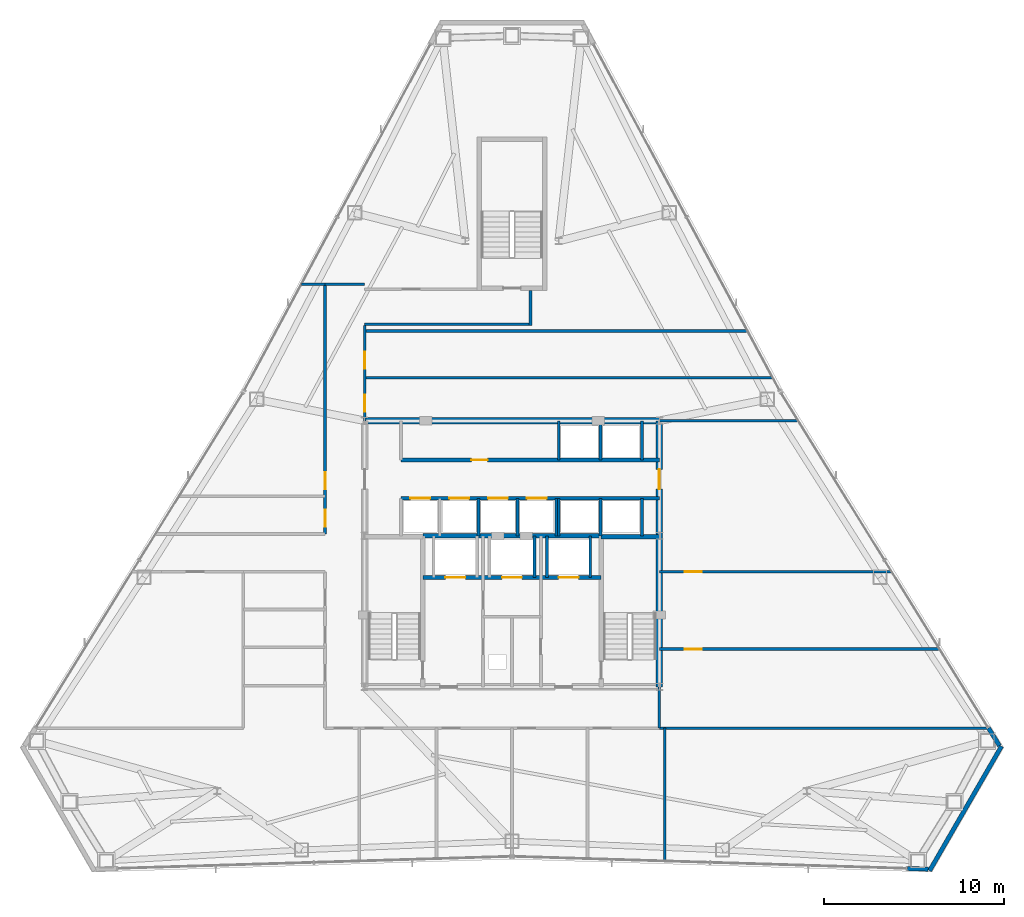
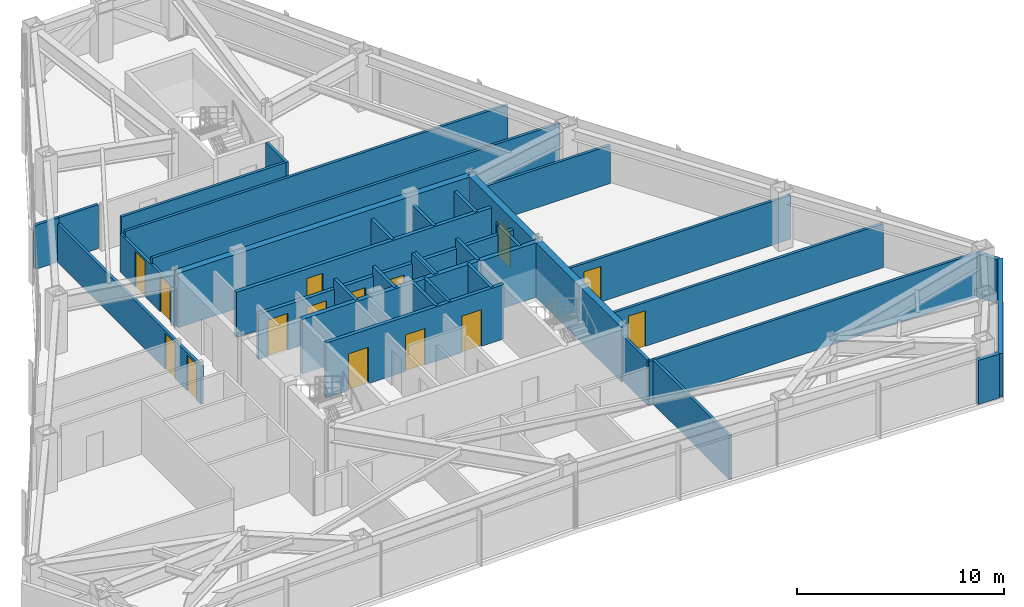
# One storey, part 11 of 13: 36 walls, 15 doors, 15 openings.
"""IFC4 building model written with IfcOpenShell, lengths in metres."""

from ifc_helpers import new_model, si_unit, direction, frame, frame_2d, origin, place, context, subcontext, project, spatial, rectangle, extrude, material, layer, layer_set, type_object, element, fill, save


model = new_model("IFC4")

# Units and contexts
model_context = context("Model", 3, precision=1e-05, world=origin(), true_north=direction((0.0, 1.0)))
body_context = subcontext(model_context, "Body", "Model", "MODEL_VIEW")
ifc_project = project(units=[si_unit("LENGTHUNIT", "METRE"), si_unit("AREAUNIT", "SQUARE_METRE"), si_unit("VOLUMEUNIT", "CUBIC_METRE"), si_unit("PLANEANGLEUNIT", "RADIAN"), si_unit("MASSUNIT", "GRAM", prefix="KILO")], contexts=[model_context])

# Site, building, storey
site_placement = place(None, origin())
site = spatial("IfcSite", under=ifc_project, at=site_placement, CompositionType="ELEMENT")
building_placement = place(site_placement, origin())
building = spatial("IfcBuilding", under=site, at=building_placement, Name="Varakhsha Concourse Tower", CompositionType="ELEMENT")
storey_placement = place(building_placement, frame((0.0, 0.0, 162.0)))
storey = spatial("IfcBuildingStorey", under=building, at=storey_placement, Name="L46", CompositionType="ELEMENT", Elevation=162.0)

# Wall
ifc_material_1 = material(Name="Concrete fc 65 MPa", Category="concrete")
ifc_layer_1 = layer(ifc_material_1, 0.35009765625, Name="WL-CORE-350")
ifc_layer_set_1 = layer_set([ifc_layer_1], Name="Concrete fc 65 MPa")
wall_type_1 = type_object("IfcWallType", Name="WL-CORE-350", PredefinedType="SHEAR", material=ifc_layer_set_1)
wall_1_placement = place(storey_placement, frame((31.800048828125, 31.199951171875, 0.0), z_axis=(0.0, 0.0, 1.0), x_axis=(1.0, 0.0, 0.0)))
element("IfcWall", 1, at=wall_1_placement, inside=storey, type_object=wall_type_1, Name="L46 Wall CWALL-N-L46", PredefinedType="SHEAR", context=body_context, shape_type="SweptSolid", body=[
    extrude(rectangle(XDim=16.39990234375, YDim=0.35009765625, at=frame_2d((8.199951171875, 0.0))), origin(), (0.0, 0.0, 1.0), 3.2099609375),
])

# Wall, opening, door
wall_2_placement = place(storey_placement, frame((48.199951171875, 16.39990234375, 0.0), z_axis=(0.0, 0.0, 1.0), x_axis=(0.0, 1.0, 0.0)))
wall_2 = element("IfcWall", 2, at=wall_2_placement, inside=storey, type_object=wall_type_1, Name="L46 Wall CWALL-E-L46", PredefinedType="SHEAR", context=body_context, shape_type="SweptSolid", body=[
    extrude(rectangle(XDim=14.800048828125, YDim=0.35009765625, at=frame_2d((7.39990234375, 0.0))), origin(), (0.0, 0.0, 1.0), 3.2099609375),
])
opening_1_placement = place(wall_2_placement, frame((11.0, 0.0, 0.0)))
opening_1 = element("IfcOpeningElement", 3, at=opening_1_placement, cuts=wall_2, Name="Opening DL-01", PredefinedType="OPENING", context=body_context, shape_type="SweptSolid", body=[
    extrude(rectangle(XDim=1.10009765625, YDim=2.14990234375, at=frame_2d((0.550048828125, 1.074951171875))), frame((0.0, 0.18505859375, 0.0), z_axis=(0.0, -1.0, 0.0), x_axis=(1.0, 0.0, 0.0)), (0.0, 0.0, 1.0), 0.3701171875),
])
ifc_material_2 = material(Name="Anodised Bronze Architectural Aluminium AA 6063-T6", Category="aluminium")
door_type_1 = type_object("IfcDoorType", Name="DR-LOB-1100", OperationType="NOTDEFINED", PredefinedType="DOOR", material=ifc_material_2)
door_1_placement = place(opening_1_placement, origin())
door_1 = element("IfcDoor", 4, at=door_1_placement, inside=storey, type_object=door_type_1, Name="L46 Lift Lobby East Concourse Door", OperationType="SINGLE_SWING_RIGHT", OverallHeight=2.14990234375, OverallWidth=1.10009765625, PredefinedType="DOOR", context=body_context, shape_type="SweptSolid", body=[
    extrude(rectangle(XDim=1.10009765625, YDim=2.14990234375, at=frame_2d((0.550048828125, 1.074951171875))), frame((0.0, 0.02490234375, 0.0), z_axis=(0.0, -1.0, 0.0), x_axis=(1.0, 0.0, 0.0)), (0.0, 0.0, 1.0), 0.050048828125),
])
fill(opening_1, door_1)

# Walls
ifc_material_3 = material(Name="Concrete fc 45 MPa", Category="concrete")
ifc_layer_2 = layer(ifc_material_3, 0.239990234375, Name="WL-EXT-CRN-240")
ifc_layer_set_2 = layer_set([ifc_layer_2], Name="Concrete fc 45 MPa")
wall_type_2 = type_object("IfcWallType", Name="WL-EXT-CRN-240", PredefinedType="SHEAR", material=ifc_layer_set_2)
wall_3_placement = place(storey_placement, frame((61.9912109375, 6.288818359375, 0.0), z_axis=(0.0, 0.0, 1.0), x_axis=(0.999533860209, -0.030529695312, 0.0)))
element("IfcWall", 5, at=wall_3_placement, inside=storey, type_object=wall_type_2, Name="L46 Wind-Corner Shoulder Wall F6", PredefinedType="SHEAR", context=body_context, shape_type="SweptSolid", body=[
    extrude(rectangle(XDim=1.16748046875, YDim=0.239990234375, at=frame_2d((0.583740234375, 0.0))), origin(), (0.0, 0.0, 1.0), 2.5830078125),
])
wall_4_placement = place(storey_placement, frame((67.234619140625, 13.094970703125, 0.0), z_axis=(0.0, 0.0, 1.0), x_axis=(-0.499985734379, -0.866033639888, 0.0)))
element("IfcWall", 6, at=wall_4_placement, inside=storey, type_object=wall_type_2, Name="L46 Chamfer Wind-Corner Insulated Wall F7", PredefinedType="SHEAR", context=body_context, shape_type="SweptSolid", body=[
    extrude(rectangle(XDim=8.000244140625, YDim=0.239990234375, at=frame_2d((4.0, 0.0))), origin(), (0.0, 0.0, 1.0), 2.5830078125),
])
wall_5_placement = place(storey_placement, frame((67.121337890625, 13.117919921875, 0.0), z_axis=(0.0, 0.0, 1.0), x_axis=(-0.526196207656, 0.850363187731, 0.0)))
element("IfcWall", 7, at=wall_5_placement, inside=storey, type_object=wall_type_2, Name="L46 Wind-Corner Shoulder Wall F8", PredefinedType="SHEAR", context=body_context, shape_type="SweptSolid", body=[
    extrude(rectangle(XDim=1.167236328125, YDim=0.239990234375, at=frame_2d((0.58349609375, 0.0))), origin(), (0.0, 0.0, 1.0), 2.5830078125),
])
ifc_material_4 = material(Name="Fire-Rated Type X Gypsum Partition Assembly", Category="gypsum")
ifc_layer_3 = layer(ifc_material_4, 0.14990234375, Name="WL-PART-150")
ifc_layer_set_3 = layer_set([ifc_layer_3], Name="Fire-Rated Type X Gypsum Partition Assembly")
wall_type_3 = type_object("IfcWallType", Name="WL-PART-150", PredefinedType="PARTITIONING", material=ifc_layer_set_3)
wall_6_placement = place(storey_placement, frame((48.199951171875, 14.10009765625, 0.0), z_axis=(0.0, 0.0, 1.0), x_axis=(0.0, 1.0, 0.0)))
element("IfcWall", 8, at=wall_6_placement, inside=storey, type_object=wall_type_3, Name="L46 Wall CRW-SE-L46", PredefinedType="PARTITIONING", context=body_context, shape_type="SweptSolid", body=[
    extrude(rectangle(XDim=2.2998046875, YDim=0.14990234375, at=frame_2d((1.14990234375, 0.0))), origin(), (0.0, 0.0, 1.0), 2.6650390625),
])

# Wall, openings, doors
wall_7_placement = place(storey_placement, frame((29.60009765625, 24.89990234375, 0.0), z_axis=(0.0, 0.0, 1.0), x_axis=(0.0, 1.0, 0.0)))
wall_7 = element("IfcWall", 9, at=wall_7_placement, inside=storey, type_object=wall_type_3, Name="L46 Wall CRW-WN-L46", PredefinedType="PARTITIONING", context=body_context, shape_type="SweptSolid", body=[
    extrude(rectangle(XDim=13.900146484375, YDim=0.14990234375, at=frame_2d((6.9501953125, 0.0))), origin(), (0.0, 0.0, 1.0), 2.251953125),
])
opening_2_placement = place(wall_7_placement, frame((0.39990234375, 0.0, 0.0)))
opening_2 = element("IfcOpeningElement", 10, at=opening_2_placement, cuts=wall_7, Name="Opening DF-05", PredefinedType="OPENING", context=body_context, shape_type="SweptSolid", body=[
    extrude(rectangle(XDim=0.949951171875, YDim=2.10009765625, at=frame_2d((0.47509765625, 1.050048828125))), frame((0.0, 0.0849609375, 0.0), z_axis=(0.0, -1.0, 0.0), x_axis=(1.0, 0.0, 0.0)), (0.0, 0.0, 1.0), 0.169921875),
])
opening_3_placement = place(wall_7_placement, frame((2.5, 0.0, 0.0)))
opening_3 = element("IfcOpeningElement", 11, at=opening_3_placement, cuts=wall_7, Name="Opening DF-05", PredefinedType="OPENING", context=body_context, shape_type="SweptSolid", body=[
    extrude(rectangle(XDim=0.949951171875, YDim=2.10009765625, at=frame_2d((0.47509765625, 1.050048828125))), frame((0.0, 0.0849609375, 0.0), z_axis=(0.0, -1.0, 0.0), x_axis=(1.0, 0.0, 0.0)), (0.0, 0.0, 1.0), 0.169921875),
])
ifc_material_5 = material(Name="Hollow Galvanised Steel Fire Door Assembly", Category="steel")
door_type_2 = type_object("IfcDoorType", Name="DR-FD60-950", OperationType="NOTDEFINED", PredefinedType="DOOR", material=ifc_material_5)
door_2_placement = place(opening_2_placement, origin())
door_2 = element("IfcDoor", 12, at=door_2_placement, inside=storey, type_object=door_type_2, Name="L46 Community Cafe Kitchen L46-NW Door", OperationType="SINGLE_SWING_RIGHT", OverallHeight=2.10009765625, OverallWidth=0.949951171875, PredefinedType="DOOR", context=body_context, shape_type="SweptSolid", body=[
    extrude(rectangle(XDim=0.949951171875, YDim=2.10009765625, at=frame_2d((0.47509765625, 1.050048828125))), frame((0.0, 0.02490234375, 0.0), z_axis=(0.0, -1.0, 0.0), x_axis=(1.0, 0.0, 0.0)), (0.0, 0.0, 1.0), 0.050048828125),
])
fill(opening_2, door_2)
door_3_placement = place(opening_3_placement, origin())
door_3 = element("IfcDoor", 13, at=door_3_placement, inside=storey, type_object=door_type_2, Name="L46 Hot-Desk Studio Neighborhood L46-W2 Door", OperationType="SINGLE_SWING_LEFT", OverallHeight=2.10009765625, OverallWidth=0.949951171875, PredefinedType="DOOR", context=body_context, shape_type="SweptSolid", body=[
    extrude(rectangle(XDim=0.949951171875, YDim=2.10009765625, at=frame_2d((0.47509765625, 1.050048828125))), frame((0.0, 0.02490234375, 0.0), z_axis=(0.0, -1.0, 0.0), x_axis=(1.0, 0.0, 0.0)), (0.0, 0.0, 1.0), 0.050048828125),
])
fill(opening_3, door_3)

wall_8_placement = place(storey_placement, frame((31.800048828125, 31.199951171875, 0.0), z_axis=(0.0, 0.0, 1.0), x_axis=(0.0, 1.0, 0.0)))
wall_8 = element("IfcWall", 14, at=wall_8_placement, inside=storey, type_object=wall_type_3, Name="L46 Wall CRW-NE-L46", PredefinedType="PARTITIONING", context=body_context, shape_type="SweptSolid", body=[
    extrude(rectangle(XDim=5.300048828125, YDim=0.14990234375, at=frame_2d((2.64990234375, 0.0))), origin(), (0.0, 0.0, 1.0), 2.251953125),
])
opening_4_placement = place(wall_8_placement, frame((0.5, 0.0, 0.0)))
opening_4 = element("IfcOpeningElement", 15, at=opening_4_placement, cuts=wall_8, Name="Opening DF-05", PredefinedType="OPENING", context=body_context, shape_type="SweptSolid", body=[
    extrude(rectangle(XDim=0.949951171875, YDim=2.10009765625, at=frame_2d((0.47509765625, 1.050048828125))), frame((0.0, 0.0849609375, 0.0), z_axis=(0.0, -1.0, 0.0), x_axis=(1.0, 0.0, 0.0)), (0.0, 0.0, 1.0), 0.169921875),
])
opening_5_placement = place(wall_8_placement, frame((2.89990234375, 0.0, 0.0)))
opening_5 = element("IfcOpeningElement", 16, at=opening_5_placement, cuts=wall_8, Name="Opening DF-05", PredefinedType="OPENING", context=body_context, shape_type="SweptSolid", body=[
    extrude(rectangle(XDim=0.949951171875, YDim=2.10009765625, at=frame_2d((0.47509765625, 1.050048828125))), frame((0.0, 0.0849609375, 0.0), z_axis=(0.0, -1.0, 0.0), x_axis=(1.0, 0.0, 0.0)), (0.0, 0.0, 1.0), 0.169921875),
])
door_4_placement = place(opening_4_placement, origin())
door_4 = element("IfcDoor", 17, at=door_4_placement, inside=storey, type_object=door_type_2, Name="L46 Mountain View Project Pitch Room L46-NE1 Door", OperationType="SINGLE_SWING_RIGHT", OverallHeight=2.10009765625, OverallWidth=0.949951171875, PredefinedType="DOOR", context=body_context, shape_type="SweptSolid", body=[
    extrude(rectangle(XDim=0.949951171875, YDim=2.10009765625, at=frame_2d((0.47509765625, 1.050048828125))), frame((0.0, 0.02490234375, 0.0), z_axis=(0.0, -1.0, 0.0), x_axis=(1.0, 0.0, 0.0)), (0.0, 0.0, 1.0), 0.050048828125),
])
fill(opening_4, door_4)
door_5_placement = place(opening_5_placement, origin())
door_5 = element("IfcDoor", 18, at=door_5_placement, inside=storey, type_object=door_type_2, Name="L46 Apex Hot-Desk Studio Neighborhood L46-NE2 Door", OperationType="SINGLE_SWING_RIGHT", OverallHeight=2.10009765625, OverallWidth=0.949951171875, PredefinedType="DOOR", context=body_context, shape_type="SweptSolid", body=[
    extrude(rectangle(XDim=0.949951171875, YDim=2.10009765625, at=frame_2d((0.47509765625, 1.050048828125))), frame((0.0, 0.02490234375, 0.0), z_axis=(0.0, -1.0, 0.0), x_axis=(1.0, 0.0, 0.0)), (0.0, 0.0, 1.0), 0.050048828125),
])
fill(opening_5, door_5)

# Walls
wall_9_placement = place(storey_placement, frame((29.60009765625, 38.800048828125, 0.0), z_axis=(0.0, 0.0, 1.0), x_axis=(1.0, 0.0, 0.0)))
element("IfcWall", 19, at=wall_9_placement, inside=storey, type_object=wall_type_3, Name="L46 Wall CRW-NCAP-L46", PredefinedType="PARTITIONING", context=body_context, shape_type="SweptSolid", body=[
    extrude(rectangle(XDim=2.199951171875, YDim=0.14990234375, at=frame_2d((1.10009765625, 0.0))), origin(), (0.0, 0.0, 1.0), 2.589111328125),
])
wall_10_placement = place(storey_placement, frame((48.5, 6.705810546875, 0.0), z_axis=(0.0, 0.0, 1.0), x_axis=(0.0, 1.0, 0.0)))
element("IfcWall", 20, at=wall_10_placement, inside=storey, type_object=wall_type_3, Name="L46 Wall ODIV-S5-L46", PredefinedType="PARTITIONING", context=body_context, shape_type="SweptSolid", body=[
    extrude(rectangle(XDim=7.394287109375, YDim=0.14990234375, at=frame_2d((3.697265625, 0.0))), origin(), (0.0, 0.0, 1.0), 2.589111328125),
])
wall_11_placement = place(storey_placement, frame((28.289306640625, 38.800048828125, 0.0), z_axis=(0.0, 0.0, 1.0), x_axis=(1.0, 0.0, 0.0)))
element("IfcWall", 21, at=wall_11_placement, inside=storey, type_object=wall_type_3, Name="L46 Wall ODIV-NWT-L46", PredefinedType="PARTITIONING", context=body_context, shape_type="SweptSolid", body=[
    extrude(rectangle(XDim=1.310791015625, YDim=0.14990234375, at=frame_2d((0.6552734375, 0.0))), origin(), (0.0, 0.0, 1.0), 2.589111328125),
])
wall_12_placement = place(storey_placement, frame((48.199951171875, 31.199951171875, 0.0), z_axis=(0.0, 0.0, 1.0), x_axis=(1.0, 0.0, 0.0)))
element("IfcWall", 22, at=wall_12_placement, inside=storey, type_object=wall_type_3, Name="L46 Wall ODIV-NEB-L46", PredefinedType="PARTITIONING", context=body_context, shape_type="SweptSolid", body=[
    extrude(rectangle(XDim=7.7265625, YDim=0.14990234375, at=frame_2d((3.86328125, 0.0))), origin(), (0.0, 0.0, 1.0), 2.251953125),
])
wall_13_placement = place(storey_placement, frame((31.800048828125, 33.60009765625, 0.0), z_axis=(0.0, 0.0, 1.0), x_axis=(1.0, 0.0, 0.0)))
element("IfcWall", 23, at=wall_13_placement, inside=storey, type_object=wall_type_3, Name="L46 Wall ODIV-NE1-L46", PredefinedType="PARTITIONING", context=body_context, shape_type="SweptSolid", body=[
    extrude(rectangle(XDim=22.704833984375, YDim=0.14990234375, at=frame_2d((11.3525390625, 0.0))), origin(), (0.0, 0.0, 1.0), 2.589111328125),
])
wall_14_placement = place(storey_placement, frame((31.800048828125, 36.199951171875, 0.0), z_axis=(0.0, 0.0, 1.0), x_axis=(1.0, 0.0, 0.0)))
element("IfcWall", 24, at=wall_14_placement, inside=storey, type_object=wall_type_3, Name="L46 Wall ODIV-NE2-L46", PredefinedType="PARTITIONING", context=body_context, shape_type="SweptSolid", body=[
    extrude(rectangle(XDim=21.307861328125, YDim=0.14990234375, at=frame_2d((10.65380859375, 0.0))), origin(), (0.0, 0.0, 1.0), 2.589111328125),
])
wall_15_placement = place(storey_placement, frame((48.199951171875, 14.10009765625, 0.0), z_axis=(0.0, 0.0, 1.0), x_axis=(1.0, 0.0, 0.0)))
element("IfcWall", 25, at=wall_15_placement, inside=storey, type_object=wall_type_3, Name="L46 Wall ODIV-EB0-L46", PredefinedType="PARTITIONING", context=body_context, shape_type="SweptSolid", body=[
    extrude(rectangle(XDim=18.307861328125, YDim=0.14990234375, at=frame_2d((9.15380859375, 0.0))), origin(), (0.0, 0.0, 1.0), 2.589111328125),
])

# Wall, opening, door
wall_16_placement = place(storey_placement, frame((48.199951171875, 18.5, 0.0), z_axis=(0.0, 0.0, 1.0), x_axis=(1.0, 0.0, 0.0)))
wall_16 = element("IfcWall", 26, at=wall_16_placement, inside=storey, type_object=wall_type_3, Name="L46 Wall ODIV-E1-L46", PredefinedType="PARTITIONING", context=body_context, shape_type="SweptSolid", body=[
    extrude(rectangle(XDim=15.5849609375, YDim=0.14990234375, at=frame_2d((7.79248046875, 0.0))), origin(), (0.0, 0.0, 1.0), 2.589111328125),
])
opening_6_placement = place(wall_16_placement, frame((1.39990234375, 0.0, 0.0)))
opening_6 = element("IfcOpeningElement", 27, at=opening_6_placement, cuts=wall_16, Name="Opening DF-05", PredefinedType="OPENING", context=body_context, shape_type="SweptSolid", body=[
    extrude(rectangle(XDim=0.949951171875, YDim=2.10009765625, at=frame_2d((0.47509765625, 1.050048828125))), frame((0.0, 0.0849609375, 0.0), z_axis=(0.0, -1.0, 0.0), x_axis=(1.0, 0.0, 0.0)), (0.0, 0.0, 1.0), 0.169921875),
])
door_6_placement = place(opening_6_placement, origin())
door_6 = element("IfcDoor", 28, at=door_6_placement, inside=storey, type_object=door_type_2, Name="L46 East Suite Interconnect Door 1", OperationType="SINGLE_SWING_LEFT", OverallHeight=2.10009765625, OverallWidth=0.949951171875, PredefinedType="DOOR", context=body_context, shape_type="SweptSolid", body=[
    extrude(rectangle(XDim=0.949951171875, YDim=2.10009765625, at=frame_2d((0.47509765625, 1.050048828125))), frame((0.0, 0.02490234375, 0.0), z_axis=(0.0, -1.0, 0.0), x_axis=(1.0, 0.0, 0.0)), (0.0, 0.0, 1.0), 0.050048828125),
])
fill(opening_6, door_6)

wall_17_placement = place(storey_placement, frame((48.199951171875, 22.800048828125, 0.0), z_axis=(0.0, 0.0, 1.0), x_axis=(1.0, 0.0, 0.0)))
wall_17 = element("IfcWall", 29, at=wall_17_placement, inside=storey, type_object=wall_type_3, Name="L46 Wall ODIV-E2-L46", PredefinedType="PARTITIONING", context=body_context, shape_type="SweptSolid", body=[
    extrude(rectangle(XDim=12.92431640625, YDim=0.14990234375, at=frame_2d((6.462158203125, 0.0))), origin(), (0.0, 0.0, 1.0), 2.589111328125),
])
opening_7_placement = place(wall_17_placement, frame((1.39990234375, 0.0, 0.0)))
opening_7 = element("IfcOpeningElement", 30, at=opening_7_placement, cuts=wall_17, Name="Opening DF-05", PredefinedType="OPENING", context=body_context, shape_type="SweptSolid", body=[
    extrude(rectangle(XDim=0.949951171875, YDim=2.10009765625, at=frame_2d((0.47509765625, 1.050048828125))), frame((0.0, 0.0849609375, 0.0), z_axis=(0.0, -1.0, 0.0), x_axis=(1.0, 0.0, 0.0)), (0.0, 0.0, 1.0), 0.169921875),
])
door_7_placement = place(opening_7_placement, origin())
door_7 = element("IfcDoor", 31, at=door_7_placement, inside=storey, type_object=door_type_2, Name="L46 East Suite Interconnect Door 2", OperationType="SINGLE_SWING_RIGHT", OverallHeight=2.10009765625, OverallWidth=0.949951171875, PredefinedType="DOOR", context=body_context, shape_type="SweptSolid", body=[
    extrude(rectangle(XDim=0.949951171875, YDim=2.10009765625, at=frame_2d((0.47509765625, 1.050048828125))), frame((0.0, 0.02490234375, 0.0), z_axis=(0.0, -1.0, 0.0), x_axis=(1.0, 0.0, 0.0)), (0.0, 0.0, 1.0), 0.050048828125),
])
fill(opening_7, door_7)

# Walls
wall_18_placement = place(storey_placement, frame((31.800048828125, 36.574951171875, 0.0), z_axis=(0.0, 0.0, 1.0), x_axis=(1.0, 0.0, 0.0)))
element("IfcWall", 32, at=wall_18_placement, inside=storey, type_object=wall_type_3, Name="L46 Wall STLK-S-L46", PredefinedType="PARTITIONING", context=body_context, shape_type="SweptSolid", body=[
    extrude(rectangle(XDim=9.14990234375, YDim=0.14990234375, at=frame_2d((4.574951171875, 0.0))), origin(), (0.0, 0.0, 1.0), 3.2099609375),
])
wall_19_placement = place(storey_placement, frame((41.02490234375, 36.5, 0.0), z_axis=(0.0, 0.0, 1.0), x_axis=(0.0, 1.0, 0.0)))
element("IfcWall", 33, at=wall_19_placement, inside=storey, type_object=wall_type_3, Name="L46 Wall STLK-E-L46", PredefinedType="PARTITIONING", context=body_context, shape_type="SweptSolid", body=[
    extrude(rectangle(XDim=1.949951171875, YDim=0.14990234375, at=frame_2d((0.97509765625, 0.0))), origin(), (0.0, 0.0, 1.0), 3.2099609375),
])

# Wall, openings, doors
ifc_layer_4 = layer(ifc_material_4, 0.199951171875, Name="WL-SHAFT-220")
ifc_layer_set_4 = layer_set([ifc_layer_4], Name="Fire-Rated Type X Gypsum Partition Assembly")
wall_type_4 = type_object("IfcWallType", Name="WL-SHAFT-220", PredefinedType="SOLIDWALL", material=ifc_layer_set_4)
wall_20_placement = place(storey_placement, frame((35.044921875, 22.47998046875, 0.0), z_axis=(0.0, 0.0, 1.0), x_axis=(1.0, 0.0, 0.0)))
wall_20 = element("IfcWall", 34, at=wall_20_placement, inside=storey, type_object=wall_type_4, Name="L46 Wall FFW-NH-L46", PredefinedType="SOLIDWALL", context=body_context, shape_type="SweptSolid", body=[
    extrude(rectangle(XDim=9.91015625, YDim=0.199951171875, at=frame_2d((4.955078125, 0.0))), origin(), (0.0, 0.0, 1.0), 3.2099609375),
])
opening_8_placement = place(wall_20_placement, frame((1.2548828125, 0.0, 0.0)))
opening_8 = element("IfcOpeningElement", 35, at=opening_8_placement, cuts=wall_20, Name="Opening LD-FFL-1", PredefinedType="OPENING", context=body_context, shape_type="SweptSolid", body=[
    extrude(rectangle(XDim=1.10009765625, YDim=2.14990234375, at=frame_2d((0.550048828125, 1.074951171875))), frame((0.0, 0.10986328125, 0.0), z_axis=(0.0, -1.0, 0.0), x_axis=(1.0, 0.0, 0.0)), (0.0, 0.0, 1.0), 0.219970703125),
])
opening_9_placement = place(wall_20_placement, frame((7.554931640625, 0.0, 0.0)))
opening_9 = element("IfcOpeningElement", 36, at=opening_9_placement, cuts=wall_20, Name="Opening LD-FFL-2", PredefinedType="OPENING", context=body_context, shape_type="SweptSolid", body=[
    extrude(rectangle(XDim=1.10009765625, YDim=2.14990234375, at=frame_2d((0.550048828125, 1.074951171875))), frame((0.0, 0.10986328125, 0.0), z_axis=(0.0, -1.0, 0.0), x_axis=(1.0, 0.0, 0.0)), (0.0, 0.0, 1.0), 0.219970703125),
])
opening_10_placement = place(wall_20_placement, frame((4.405029296875, 0.0, 0.0)))
opening_10 = element("IfcOpeningElement", 37, at=opening_10_placement, cuts=wall_20, Name="Opening LD-SVL-1", PredefinedType="OPENING", context=body_context, shape_type="SweptSolid", body=[
    extrude(rectangle(XDim=1.10009765625, YDim=2.14990234375, at=frame_2d((0.550048828125, 1.074951171875))), frame((0.0, 0.10986328125, 0.0), z_axis=(0.0, -1.0, 0.0), x_axis=(1.0, 0.0, 0.0)), (0.0, 0.0, 1.0), 0.219970703125),
])
ifc_material_6 = material(Name="Brushed Austenitic Stainless Steel AISI 316", Category="steel")
door_type_3 = type_object("IfcDoorType", Name="DR-LD-1100", OperationType="DOUBLE_DOOR_SLIDING", PredefinedType="DOOR", material=ifc_material_6)
door_8_placement = place(opening_8_placement, origin())
door_8 = element("IfcDoor", 38, at=door_8_placement, inside=storey, type_object=door_type_3, Name="Lift Landing Door FFL-1 L46", OperationType="DOUBLE_DOOR_SLIDING", OverallHeight=2.14990234375, OverallWidth=1.10009765625, PredefinedType="DOOR", context=body_context, shape_type="SweptSolid", body=[
    extrude(rectangle(XDim=1.10009765625, YDim=2.14990234375, at=frame_2d((0.550048828125, 1.074951171875))), frame((0.0, 0.02490234375, 0.0), z_axis=(0.0, -1.0, 0.0), x_axis=(1.0, 0.0, 0.0)), (0.0, 0.0, 1.0), 0.050048828125),
])
fill(opening_8, door_8)
door_9_placement = place(opening_9_placement, origin())
door_9 = element("IfcDoor", 39, at=door_9_placement, inside=storey, type_object=door_type_3, Name="Lift Landing Door FFL-2 L46", OperationType="DOUBLE_DOOR_SLIDING", OverallHeight=2.14990234375, OverallWidth=1.10009765625, PredefinedType="DOOR", context=body_context, shape_type="SweptSolid", body=[
    extrude(rectangle(XDim=1.10009765625, YDim=2.14990234375, at=frame_2d((0.550048828125, 1.074951171875))), frame((0.0, 0.02490234375, 0.0), z_axis=(0.0, -1.0, 0.0), x_axis=(1.0, 0.0, 0.0)), (0.0, 0.0, 1.0), 0.050048828125),
])
fill(opening_9, door_9)
door_10_placement = place(opening_10_placement, origin())
door_10 = element("IfcDoor", 40, at=door_10_placement, inside=storey, type_object=door_type_3, Name="Lift Landing Door SVL-1 L46", OperationType="DOUBLE_DOOR_SLIDING", OverallHeight=2.14990234375, OverallWidth=1.10009765625, PredefinedType="DOOR", context=body_context, shape_type="SweptSolid", body=[
    extrude(rectangle(XDim=1.10009765625, YDim=2.14990234375, at=frame_2d((0.550048828125, 1.074951171875))), frame((0.0, 0.02490234375, 0.0), z_axis=(0.0, -1.0, 0.0), x_axis=(1.0, 0.0, 0.0)), (0.0, 0.0, 1.0), 0.050048828125),
])
fill(opening_10, door_10)

# Walls
for number, where, z_axis, x_axis, name in (
    (41, (41.949951171875, 22.47998046875, 0.0), (0.0, 0.0, 1.0), (0.0, 1.0, 0.0), "L46 Wall SHW-FFL-2-W-L46"),
    (42, (44.35009765625, 22.47998046875, 0.0), (0.0, 0.0, 1.0), (0.0, 1.0, 0.0), "L46 Wall SHW-FFL-2-E-L46"),
    (43, (41.25, 22.47998046875, 0.0), (0.0, 0.0, 1.0), (0.0, 1.0, 0.0), "L46 Wall SHW-SVL-1-E-L46"),
):
    element("IfcWall", number, at=place(storey_placement, frame(where, z_axis=z_axis, x_axis=x_axis)), inside=storey, type_object=wall_type_4, Name=name, PredefinedType="SOLIDWALL", context=body_context, shape_type="SweptSolid", body=[
        extrude(rectangle(XDim=2.320068359375, YDim=0.159912109375, at=frame_2d((1.16015625, 0.0))), origin(), (0.0, 0.0, 1.0), 3.2099609375),
    ])

# Wall, opening, door
wall_21_placement = place(storey_placement, frame((33.820068359375, 29.02001953125, 0.0), z_axis=(0.0, 0.0, 1.0), x_axis=(1.0, 0.0, 0.0)))
wall_21 = element("IfcWall", 44, at=wall_21_placement, inside=storey, type_object=wall_type_4, Name="L46 Wall PLW-N-L46", PredefinedType="SOLIDWALL", context=body_context, shape_type="SweptSolid", body=[
    extrude(rectangle(XDim=14.3798828125, YDim=0.199951171875, at=frame_2d((7.18994140625, 0.0))), origin(), (0.0, 0.0, 1.0), 2.6650390625),
])
opening_11_placement = place(wall_21_placement, frame((3.919921875, 0.0, 0.0)))
opening_11 = element("IfcOpeningElement", 45, at=opening_11_placement, cuts=wall_21, Name="Opening DF-06", PredefinedType="OPENING", context=body_context, shape_type="SweptSolid", body=[
    extrude(rectangle(XDim=0.89990234375, YDim=2.10009765625, at=frame_2d((0.449951171875, 1.050048828125))), frame((0.0, 0.10986328125, 0.0), z_axis=(0.0, -1.0, 0.0), x_axis=(1.0, 0.0, 0.0)), (0.0, 0.0, 1.0), 0.219970703125),
])
door_type_4 = type_object("IfcDoorType", Name="DR-FD60-900", OperationType="NOTDEFINED", PredefinedType="DOOR", material=ifc_material_5)
door_11_placement = place(opening_11_placement, origin())
door_11 = element("IfcDoor", 46, at=door_11_placement, inside=storey, type_object=door_type_4, Name="L46 Tenant Archive and IT Server Room Door", OperationType="SINGLE_SWING_LEFT", OverallHeight=2.10009765625, OverallWidth=0.89990234375, PredefinedType="DOOR", context=body_context, shape_type="SweptSolid", body=[
    extrude(rectangle(XDim=0.89990234375, YDim=2.10009765625, at=frame_2d((0.449951171875, 1.050048828125))), frame((0.0, 0.02490234375, 0.0), z_axis=(0.0, -1.0, 0.0), x_axis=(1.0, 0.0, 0.0)), (0.0, 0.0, 1.0), 0.050048828125),
])
fill(opening_11, door_11)

# Wall, openings, doors
wall_22_placement = place(storey_placement, frame((33.820068359375, 26.8798828125, 0.0), z_axis=(0.0, 0.0, 1.0), x_axis=(1.0, 0.0, 0.0)))
wall_22 = element("IfcWall", 47, at=wall_22_placement, inside=storey, type_object=wall_type_4, Name="L46 Wall PLW-S-L46", PredefinedType="SOLIDWALL", context=body_context, shape_type="SweptSolid", body=[
    extrude(rectangle(XDim=14.3798828125, YDim=0.199951171875, at=frame_2d((7.18994140625, 0.0))), origin(), (0.0, 0.0, 1.0), 2.6650390625),
])
opening_12_placement = place(wall_22_placement, frame((0.530029296875, 0.0, 0.0)))
opening_12 = element("IfcOpeningElement", 48, at=opening_12_placement, cuts=wall_22, Name="Opening LD-LF-P05", PredefinedType="OPENING", context=body_context, shape_type="SweptSolid", body=[
    extrude(rectangle(XDim=1.10009765625, YDim=2.14990234375, at=frame_2d((0.550048828125, 1.074951171875))), frame((0.0, 0.10986328125, 0.0), z_axis=(0.0, -1.0, 0.0), x_axis=(1.0, 0.0, 0.0)), (0.0, 0.0, 1.0), 0.219970703125),
])
opening_13_placement = place(wall_22_placement, frame((2.68994140625, 0.0, 0.0)))
opening_13 = element("IfcOpeningElement", 49, at=opening_13_placement, cuts=wall_22, Name="Opening LD-LF-P06", PredefinedType="OPENING", context=body_context, shape_type="SweptSolid", body=[
    extrude(rectangle(XDim=1.10009765625, YDim=2.14990234375, at=frame_2d((0.550048828125, 1.074951171875))), frame((0.0, 0.10986328125, 0.0), z_axis=(0.0, -1.0, 0.0), x_axis=(1.0, 0.0, 0.0)), (0.0, 0.0, 1.0), 0.219970703125),
])
opening_14_placement = place(wall_22_placement, frame((4.85009765625, 0.0, 0.0)))
opening_14 = element("IfcOpeningElement", 50, at=opening_14_placement, cuts=wall_22, Name="Opening LD-LF-P07", PredefinedType="OPENING", context=body_context, shape_type="SweptSolid", body=[
    extrude(rectangle(XDim=1.10009765625, YDim=2.14990234375, at=frame_2d((0.550048828125, 1.074951171875))), frame((0.0, 0.10986328125, 0.0), z_axis=(0.0, -1.0, 0.0), x_axis=(1.0, 0.0, 0.0)), (0.0, 0.0, 1.0), 0.219970703125),
])
opening_15_placement = place(wall_22_placement, frame((7.010009765625, 0.0, 0.0)))
opening_15 = element("IfcOpeningElement", 51, at=opening_15_placement, cuts=wall_22, Name="Opening LD-LF-P08", PredefinedType="OPENING", context=body_context, shape_type="SweptSolid", body=[
    extrude(rectangle(XDim=1.10009765625, YDim=2.14990234375, at=frame_2d((0.550048828125, 1.074951171875))), frame((0.0, 0.10986328125, 0.0), z_axis=(0.0, -1.0, 0.0), x_axis=(1.0, 0.0, 0.0)), (0.0, 0.0, 1.0), 0.219970703125),
])
door_12_placement = place(opening_12_placement, origin())
door_12 = element("IfcDoor", 52, at=door_12_placement, inside=storey, type_object=door_type_3, Name="Lift Landing Door LF-P05 L46", OperationType="DOUBLE_DOOR_SLIDING", OverallHeight=2.14990234375, OverallWidth=1.10009765625, PredefinedType="DOOR", context=body_context, shape_type="SweptSolid", body=[
    extrude(rectangle(XDim=1.10009765625, YDim=2.14990234375, at=frame_2d((0.550048828125, 1.074951171875))), frame((0.0, 0.02490234375, 0.0), z_axis=(0.0, -1.0, 0.0), x_axis=(1.0, 0.0, 0.0)), (0.0, 0.0, 1.0), 0.050048828125),
])
fill(opening_12, door_12)
door_13_placement = place(opening_13_placement, origin())
door_13 = element("IfcDoor", 53, at=door_13_placement, inside=storey, type_object=door_type_3, Name="Lift Landing Door LF-P06 L46", OperationType="DOUBLE_DOOR_SLIDING", OverallHeight=2.14990234375, OverallWidth=1.10009765625, PredefinedType="DOOR", context=body_context, shape_type="SweptSolid", body=[
    extrude(rectangle(XDim=1.10009765625, YDim=2.14990234375, at=frame_2d((0.550048828125, 1.074951171875))), frame((0.0, 0.02490234375, 0.0), z_axis=(0.0, -1.0, 0.0), x_axis=(1.0, 0.0, 0.0)), (0.0, 0.0, 1.0), 0.050048828125),
])
fill(opening_13, door_13)
door_14_placement = place(opening_14_placement, origin())
door_14 = element("IfcDoor", 54, at=door_14_placement, inside=storey, type_object=door_type_3, Name="Lift Landing Door LF-P07 L46", OperationType="DOUBLE_DOOR_SLIDING", OverallHeight=2.14990234375, OverallWidth=1.10009765625, PredefinedType="DOOR", context=body_context, shape_type="SweptSolid", body=[
    extrude(rectangle(XDim=1.10009765625, YDim=2.14990234375, at=frame_2d((0.550048828125, 1.074951171875))), frame((0.0, 0.02490234375, 0.0), z_axis=(0.0, -1.0, 0.0), x_axis=(1.0, 0.0, 0.0)), (0.0, 0.0, 1.0), 0.050048828125),
])
fill(opening_14, door_14)
door_15_placement = place(opening_15_placement, origin())
door_15 = element("IfcDoor", 55, at=door_15_placement, inside=storey, type_object=door_type_3, Name="Lift Landing Door LF-P08 L46", OperationType="DOUBLE_DOOR_SLIDING", OverallHeight=2.14990234375, OverallWidth=1.10009765625, PredefinedType="DOOR", context=body_context, shape_type="SweptSolid", body=[
    extrude(rectangle(XDim=1.10009765625, YDim=2.14990234375, at=frame_2d((0.550048828125, 1.074951171875))), frame((0.0, 0.02490234375, 0.0), z_axis=(0.0, -1.0, 0.0), x_axis=(1.0, 0.0, 0.0)), (0.0, 0.0, 1.0), 0.050048828125),
])
fill(opening_15, door_15)

# Walls
for number, where, z_axis, x_axis, name in (
    (56, (38.139892578125, 24.800048828125, 0.0), (0.0, 0.0, 1.0), (0.0, 1.0, 0.0), "L46 Wall SHW-LF-P06-E-L46"),
    (57, (40.300048828125, 24.800048828125, 0.0), (0.0, 0.0, 1.0), (0.0, 1.0, 0.0), "L46 Wall SHW-LF-P07-E-L46"),
    (58, (42.4599609375, 24.800048828125, 0.0), (0.0, 0.0, 1.0), (0.0, 1.0, 0.0), "L46 Wall SHW-LF-P08-E-L46"),
):
    element("IfcWall", number, at=place(storey_placement, frame(where, z_axis=z_axis, x_axis=x_axis)), inside=storey, type_object=wall_type_4, Name=name, PredefinedType="SOLIDWALL", context=body_context, shape_type="SweptSolid", body=[
        extrude(rectangle(XDim=2.079833984375, YDim=0.159912109375, at=frame_2d((1.0400390625, 0.0))), origin(), (0.0, 0.0, 1.0), 3.2099609375),
    ])
for number, where, z_axis, x_axis, name in (
    (59, (42.60009765625, 29.02001953125, 0.0), (0.0, 0.0, 1.0), (0.0, 1.0, 0.0), "L46 Wall SHW-LF-P09-W-L46"),
    (60, (44.919921875, 29.02001953125, 0.0), (0.0, 0.0, 1.0), (0.0, 1.0, 0.0), "L46 Wall SHW-LF-P09-E-L46"),
    (61, (47.239990234375, 29.02001953125, 0.0), (0.0, 0.0, 1.0), (0.0, 1.0, 0.0), "L46 Wall SHW-LF-P10-E-L46"),
):
    element("IfcWall", number, at=place(storey_placement, frame(where, z_axis=z_axis, x_axis=x_axis)), inside=storey, type_object=wall_type_4, Name=name, PredefinedType="SOLIDWALL", context=body_context, shape_type="SweptSolid", body=[
        extrude(rectangle(XDim=2.179931640625, YDim=0.159912109375, at=frame_2d((1.08984375, 0.0))), origin(), (0.0, 0.0, 1.0), 2.6650390625),
    ])
for number, where, z_axis, x_axis, name in (
    (62, (42.60009765625, 24.800048828125, 0.0), (0.0, 0.0, 1.0), (0.0, 1.0, 0.0), "L46 Wall SHW-LF-P11-W-L46"),
    (63, (44.919921875, 24.800048828125, 0.0), (0.0, 0.0, 1.0), (0.0, 1.0, 0.0), "L46 Wall SHW-LF-P11-E-L46"),
    (64, (47.239990234375, 24.800048828125, 0.0), (0.0, 0.0, 1.0), (0.0, 1.0, 0.0), "L46 Wall SHW-LF-P12-E-L46"),
):
    element("IfcWall", number, at=place(storey_placement, frame(where, z_axis=z_axis, x_axis=x_axis)), inside=storey, type_object=wall_type_4, Name=name, PredefinedType="SOLIDWALL", context=body_context, shape_type="SweptSolid", body=[
        extrude(rectangle(XDim=2.079833984375, YDim=0.159912109375, at=frame_2d((1.0400390625, 0.0))), origin(), (0.0, 0.0, 1.0), 3.2099609375),
    ])
ifc_layer_5 = layer(ifc_material_3, 0.25, Name="WL-STAIR-250")
ifc_layer_set_5 = layer_set([ifc_layer_5], Name="Concrete fc 45 MPa")
wall_type_5 = type_object("IfcWallType", Name="WL-STAIR-250", PredefinedType="SHEAR", material=ifc_layer_set_5)
wall_23_placement = place(storey_placement, frame((44.955078125, 24.7548828125, 0.0), z_axis=(0.0, 0.0, 1.0), x_axis=(1.0, 0.0, 0.0)))
element("IfcWall", 65, at=wall_23_placement, inside=storey, type_object=wall_type_5, Name="L46 Wall SWALL-ST2-N-L46", PredefinedType="SHEAR", context=body_context, shape_type="SweptSolid", body=[
    extrude(rectangle(XDim=3.244873046875, YDim=0.25, at=frame_2d((1.62255859375, 0.0))), origin(), (0.0, 0.0, 1.0), 3.2099609375),
])
wall_24_placement = place(storey_placement, frame((35.044921875, 24.800048828125, 0.0), z_axis=(0.0, 0.0, 1.0), x_axis=(1.0, 0.0, 0.0)))
element("IfcWall", 66, at=wall_24_placement, inside=storey, type_object=wall_type_5, Name="L46 Wall SWALL-MID-H-L46", PredefinedType="SHEAR", context=body_context, shape_type="SweptSolid", body=[
    extrude(rectangle(XDim=9.91015625, YDim=0.25, at=frame_2d((4.955078125, 0.0))), origin(), (0.0, 0.0, 1.0), 3.2099609375),
])

save(model, "model.ifc")
